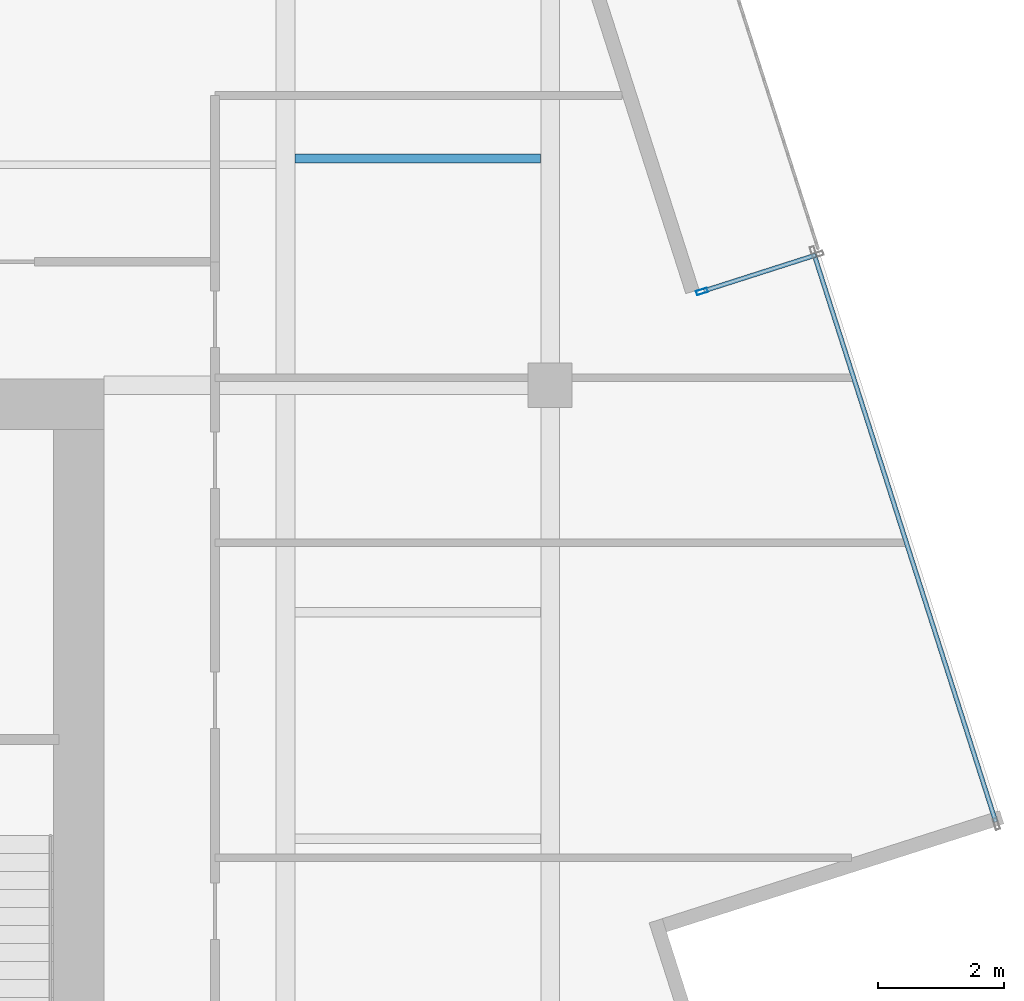
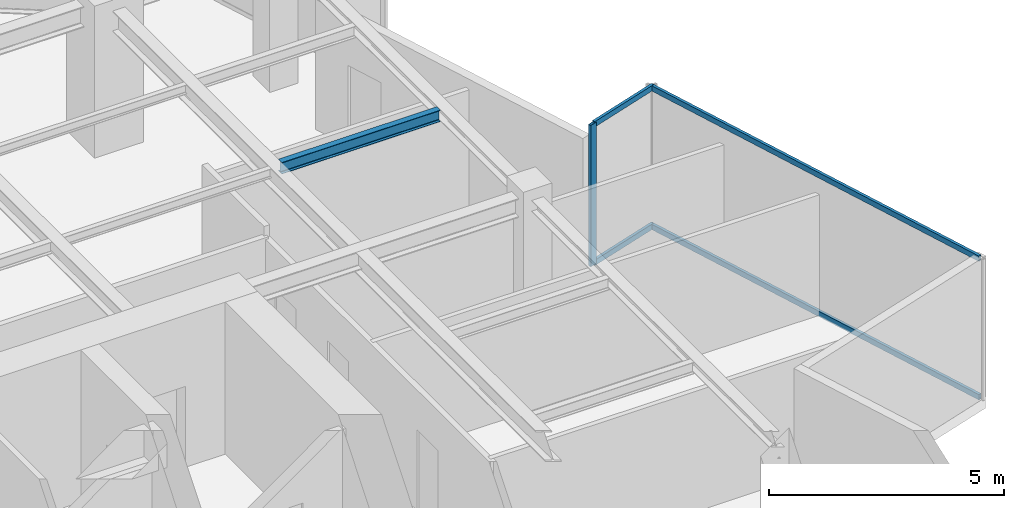
# One storey, part 11 of 21: 5 members, 1 beam, 2 elements without a shape of their own.
"""IFC4 building model written with IfcOpenShell, lengths in metres."""

from ifc_helpers import new_model, si_unit, direction, frame, origin, origin_2d, place, context, subcontext, project, spatial, hollow_rectangle, i_section, extrude, source, transform, mapped, material, material_profile, profile_set, type_object, type_shapes, element, aggregate, save


model = new_model("IFC4")

# Units and contexts
model_context = context("Model", 3, precision=1e-05, world=origin(), true_north=direction((0.0, 1.0)))
body_context = subcontext(model_context, "Body", "Model", "MODEL_VIEW")
ifc_project = project(units=[si_unit("LENGTHUNIT", "METRE"), si_unit("AREAUNIT", "SQUARE_METRE"), si_unit("VOLUMEUNIT", "CUBIC_METRE"), si_unit("PLANEANGLEUNIT", "RADIAN"), si_unit("MASSUNIT", "GRAM", prefix="KILO")], contexts=[model_context])

# Site, building, storey
site_placement = place(None, origin())
site = spatial("IfcSite", under=ifc_project, at=site_placement, CompositionType="ELEMENT")
building_placement = place(site_placement, origin())
building = spatial("IfcBuilding", under=site, at=building_placement, Name="Krantzveldt Concourse Tower", CompositionType="ELEMENT")
storey_placement = place(building_placement, frame((0.0, 0.0, 339.550048828125)))
storey = spatial("IfcBuildingStorey", under=building, at=storey_placement, Name="L83", CompositionType="ELEMENT", Elevation=339.550048828125)

# Beam
ifc_material_1 = material(Name="Steel S355JR", Category="steel")
ifc_material_profile_1 = material_profile(ifc_material_1, i_section(OverallWidth=0.14990234375, OverallDepth=0.300048828125, WebThickness=0.007080078125, FlangeThickness=0.0107421875, FilletRadius=0.014892578125, at=origin_2d()), Name="Steel S355JR", Category="steel")
ifc_profile_set_1 = profile_set([ifc_material_profile_1], Name="Steel S355JR - IPE 300")
beam_type = type_object("IfcBeamType", Name="BM-J-IPE300", PredefinedType="JOIST", material=ifc_profile_set_1)
shared_shape_1 = source(origin(), body_context, "Body", "SweptSolid", [
    extrude(i_section(OverallWidth=0.14990234375, OverallDepth=0.300048828125, WebThickness=0.007080078125, FlangeThickness=0.0107421875, FilletRadius=0.014892578125, at=origin_2d()), origin(), (0.0, 0.0, 1.0), 3.900146484375),
])
type_shapes(beam_type, [shared_shape_1])
beam_placement = place(storey_placement, frame((46.949951171875, 30.300048828125, 3.52001953125), z_axis=(1.0, 0.0, 0.0), x_axis=(0.0, 1.0, 0.0)))
element("IfcBeam", 1, at=beam_placement, inside=storey, type_object=beam_type, Name="L83 Secondary Floor Joist JE-3", PredefinedType="JOIST", context=body_context, shape_type="MappedRepresentation", body=[
    mapped(shared_shape_1, transform((0.0, 0.0, 0.0), x_axis=(1.0, 0.0, 0.0), y_axis=(0.0, 1.0, 0.0), z_axis=(0.0, 0.0, 1.0), scale=1.0)),
])

# Curtain wall, members
ifc_material_2 = material(Name="Anodised aluminium 6063-T6", Category="aluminium")
curtain_wall_type_1 = type_object("IfcCurtainWallType", Name="CW6", PredefinedType="USERDEFINED", material=ifc_material_2)
curtain_wall_1_placement = place(storey_placement, origin())
curtain_wall_1 = element("IfcCurtainWall", 2, at=curtain_wall_1_placement, inside=storey, type_object=curtain_wall_type_1, Name="CW-L83-TR11", ObjectType="UNITISED CURTAIN WALL", PredefinedType="USERDEFINED")
ifc_material_profile_2 = material_profile(ifc_material_2, hollow_rectangle(XDim=0.070068359375, YDim=0.179931640625, WallThickness=0.0048828125, at=origin_2d()), Name="Anodised aluminium 6063-T6", Category="aluminium")
ifc_profile_set_2 = profile_set([ifc_material_profile_2], Name="Anodised aluminium 6063-T6 - ALU-MULL 180x70x5")
member_type_1 = type_object("IfcMemberType", Name="CW-MUL-180", PredefinedType="MULLION", material=ifc_profile_set_2)
shared_shape_2 = source(origin(), body_context, "Body", "SweptSolid", [
    extrude(hollow_rectangle(XDim=0.070068359375, YDim=0.179931640625, WallThickness=0.0048828125, at=origin_2d()), origin(), (0.0, 0.0, 1.0), 3.669921875),
])
type_shapes(member_type_1, [shared_shape_2])
member_1_placement = place(storey_placement, frame((53.409912109375, 28.1884765625, 0.0), z_axis=(0.0, 0.0, 1.0), x_axis=(0.304865167035, -0.952395521792, 0.0)))
member_1 = element("IfcMember", 3, at=member_1_placement, type_object=member_type_1, Name="CW-TERR mullion 2", PredefinedType="MULLION", context=body_context, shape_type="MappedRepresentation", body=[
    mapped(shared_shape_2, transform((0.0, 0.0, 0.0), x_axis=(1.0, 0.0, 0.0), y_axis=(0.0, 1.0, 0.0), z_axis=(0.0, 0.0, 1.0), scale=1.0)),
])
ifc_material_profile_3 = material_profile(ifc_material_2, hollow_rectangle(XDim=0.070068359375, YDim=0.139892578125, WallThickness=0.0048828125, at=origin_2d()), Name="Anodised aluminium 6063-T6", Category="aluminium")
ifc_profile_set_3 = profile_set([ifc_material_profile_3], Name="Anodised aluminium 6063-T6 - ALU-TRAN 140x70x5")
member_type_2 = type_object("IfcMemberType", Name="CW-TRN-150", PredefinedType="USERDEFINED", material=ifc_profile_set_3)
shared_shape_3 = source(origin(), body_context, "Body", "SweptSolid", [
    extrude(hollow_rectangle(XDim=0.070068359375, YDim=0.139892578125, WallThickness=0.0048828125, at=origin_2d()), origin(), (0.0, 0.0, 1.0), 1.860107421875),
])
member_2_placement = place(storey_placement, frame((55.21484375, 28.766357421875, 0.034912109375), z_axis=(-0.952382990504, -0.304904311872, 0.0), x_axis=(0.304904311872, -0.952382990504, 0.0)))
member_2 = element("IfcMember", 4, at=member_2_placement, type_object=member_type_2, Name="CW-TERR transom 1.1", ObjectType="TRANSOM", PredefinedType="USERDEFINED", context=body_context, shape_type="MappedRepresentation", body=[
    mapped(shared_shape_3, transform((0.0, 0.0, 0.0), x_axis=(1.0, 0.0, 0.0), y_axis=(0.0, 1.0, 0.0), z_axis=(0.0, 0.0, 1.0), scale=1.0)),
])
member_3_placement = place(storey_placement, frame((55.21484375, 28.766357421875, 3.635009765625), z_axis=(-0.952382990504, -0.304904311872, 0.0), x_axis=(0.304904311872, -0.952382990504, 0.0)))
member_3 = element("IfcMember", 5, at=member_3_placement, type_object=member_type_2, Name="CW-TERR transom 1.2", ObjectType="TRANSOM", PredefinedType="USERDEFINED", context=body_context, shape_type="MappedRepresentation", body=[
    mapped(shared_shape_3, transform((0.0, 0.0, 0.0), x_axis=(1.0, 0.0, 0.0), y_axis=(0.0, 1.0, 0.0), z_axis=(0.0, 0.0, 1.0), scale=1.0)),
])
aggregate(curtain_wall_1, [member_1, member_2, member_3])

curtain_wall_type_2 = type_object("IfcCurtainWallType", Name="CW4", PredefinedType="USERDEFINED", material=ifc_material_2)
curtain_wall_2_placement = place(storey_placement, origin())
curtain_wall_2 = element("IfcCurtainWall", 6, at=curtain_wall_2_placement, inside=storey, type_object=curtain_wall_type_2, Name="CW-L83-F10", ObjectType="UNITISED CURTAIN WALL", PredefinedType="USERDEFINED")
shared_shape_4 = source(origin(), body_context, "Body", "SweptSolid", [
    extrude(hollow_rectangle(XDim=0.070068359375, YDim=0.139892578125, WallThickness=0.0048828125, at=origin_2d()), origin(), (0.0, 0.0, 1.0), 9.460205078125),
])
type_shapes(member_type_2, [shared_shape_3, shared_shape_4])
member_4_placement = place(storey_placement, frame((58.07373046875, 19.76953125, 0.034912109375), z_axis=(-0.304862811757, 0.952396275721, 0.0), x_axis=(-0.952396275721, -0.304862811757, 0.0)))
member_4 = element("IfcMember", 7, at=member_4_placement, type_object=member_type_2, Name="CW-Z56 transom 1.1", ObjectType="TRANSOM", PredefinedType="USERDEFINED", context=body_context, shape_type="MappedRepresentation", body=[
    mapped(shared_shape_4, transform((0.0, 0.0, 0.0), x_axis=(1.0, 0.0, 0.0), y_axis=(0.0, 1.0, 0.0), z_axis=(0.0, 0.0, 1.0), scale=1.0)),
])
member_5_placement = place(storey_placement, frame((58.07373046875, 19.76953125, 3.635009765625), z_axis=(-0.304862811757, 0.952396275721, 0.0), x_axis=(-0.952396275721, -0.304862811757, 0.0)))
member_5 = element("IfcMember", 8, at=member_5_placement, type_object=member_type_2, Name="CW-Z56 transom 1.2", ObjectType="TRANSOM", PredefinedType="USERDEFINED", context=body_context, shape_type="MappedRepresentation", body=[
    mapped(shared_shape_4, transform((0.0, 0.0, 0.0), x_axis=(1.0, 0.0, 0.0), y_axis=(0.0, 1.0, 0.0), z_axis=(0.0, 0.0, 1.0), scale=1.0)),
])
aggregate(curtain_wall_2, [member_4, member_5])

save(model, "model.ifc")
